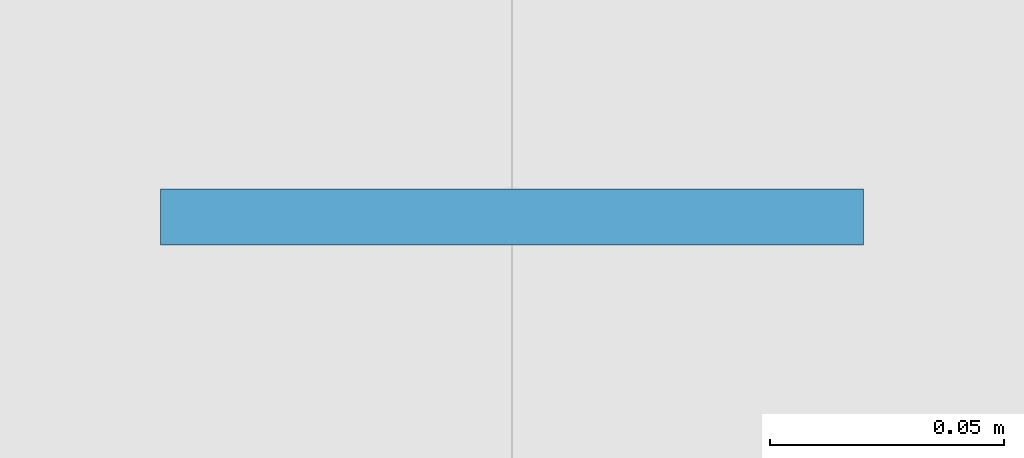
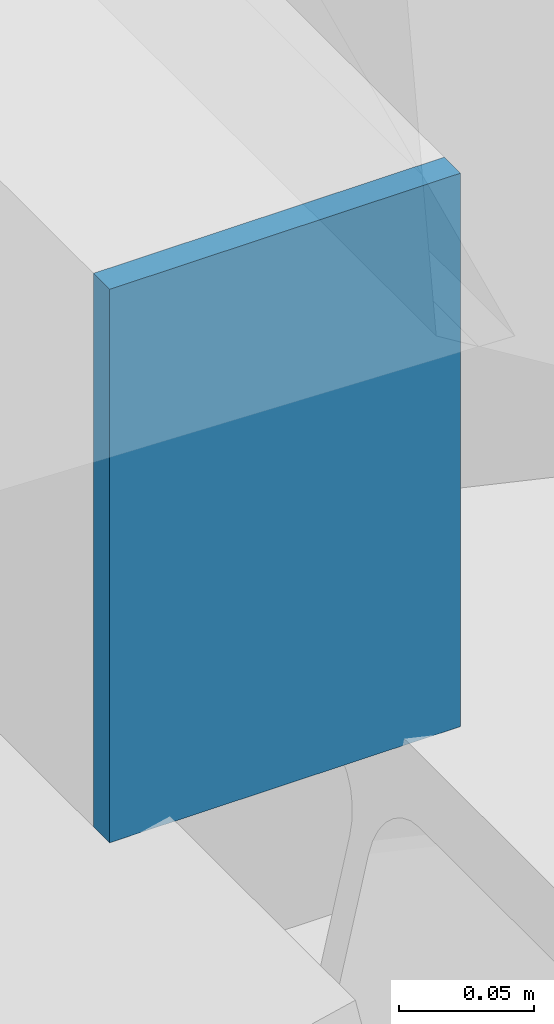
# One storey, part 23 of 35: 1 plate.
"""IFC4 building model written with IfcOpenShell, lengths in metres."""

from ifc_helpers import new_model, si_unit, direction, frame, origin, origin_2d, place, context, subcontext, project, spatial, rectangle, extrude, material, layer, layer_set, type_object, element, save


model = new_model("IFC4")

# Units and contexts
model_context = context("Model", 3, precision=1e-05, world=origin(), true_north=direction((0.0, 1.0)))
body_context = subcontext(model_context, "Body", "Model", "MODEL_VIEW")
ifc_project = project(units=[si_unit("LENGTHUNIT", "METRE"), si_unit("AREAUNIT", "SQUARE_METRE"), si_unit("VOLUMEUNIT", "CUBIC_METRE"), si_unit("PLANEANGLEUNIT", "RADIAN"), si_unit("MASSUNIT", "GRAM", prefix="KILO")], contexts=[model_context])

# Site, building, storey
site_placement = place(None, origin())
site = spatial("IfcSite", under=ifc_project, at=site_placement, CompositionType="ELEMENT")
building_placement = place(site_placement, origin())
building = spatial("IfcBuilding", under=site, at=building_placement, Name="Vellmiral Cinema and Media Centre", CompositionType="ELEMENT")
storey_placement = place(building_placement, frame((0.0, 0.0, 15.60009765625)))
storey = spatial("IfcBuildingStorey", under=building, at=storey_placement, Name="L03", CompositionType="ELEMENT", Elevation=15.60009765625)

# Plate
ifc_material = material(Name="Steel S355", Category="steel")
ifc_layer = layer(ifc_material, 0.011962890625, Name="Steel S355")
ifc_layer_set = layer_set([ifc_layer], Name="Steel S355")
plate_type = type_object("IfcPlateType", Name="PLT-CAP-250", PredefinedType="SHEET", material=ifc_layer_set)
plate_placement = place(storey_placement, frame((70.39990234375, 62.194580078125, 5.98388671875), z_axis=(0.0, 0.0, 1.0), x_axis=(1.0, 0.0, 0.0)))
element("IfcPlate", 1, at=plate_placement, inside=storey, type_object=plate_type, Name="Roof Purlin VR-08E.3.1 End Cap Plate", PredefinedType="SHEET", context=body_context, shape_type="SweptSolid", body=[
    extrude(rectangle(XDim=0.14990234375, YDim=0.011962890625, at=origin_2d()), origin(), (0.0, 0.0, 1.0), 0.25),
])

save(model, "model.ifc")
